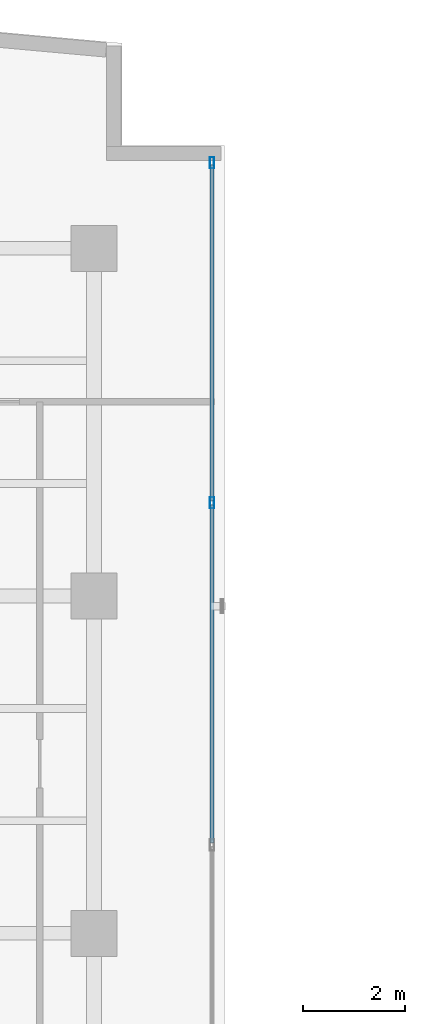
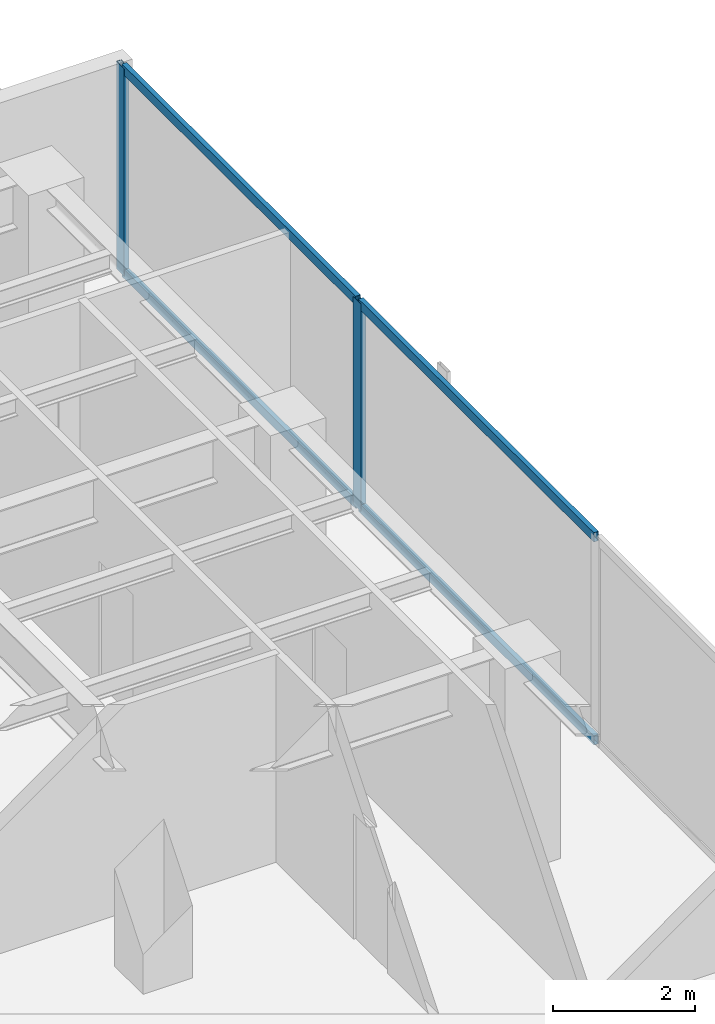
# One storey, part 15 of 22: 6 members, 1 element without a shape of its own.
"""IFC4 building model written with IfcOpenShell, lengths in metres."""

from ifc_helpers import new_model, si_unit, direction, frame, origin, origin_with_axes, origin_2d, place, context, subcontext, project, spatial, hollow_rectangle, extrude, source, transform, mapped, material, layer, layer_set, material_profile, profile_set, type_object, element, aggregate, save


model = new_model("IFC4")

# Units and contexts
model_context = context("Model", 3, precision=1e-05, world=origin(), true_north=direction((0.0, 1.0)))
body_context = subcontext(model_context, "Body", "Model", "MODEL_VIEW")
ifc_project = project(units=[si_unit("LENGTHUNIT", "METRE"), si_unit("AREAUNIT", "SQUARE_METRE"), si_unit("VOLUMEUNIT", "CUBIC_METRE"), si_unit("PLANEANGLEUNIT", "RADIAN"), si_unit("MASSUNIT", "GRAM", prefix="KILO")], contexts=[model_context])

# Site, building, storey
site_placement = place(None, origin())
site = spatial("IfcSite", under=ifc_project, at=site_placement, CompositionType="ELEMENT")
building_placement = place(site_placement, origin())
building = spatial("IfcBuilding", under=site, at=building_placement, Name="Kolvaren Waterfront Exchange", CompositionType="ELEMENT")
storey_placement = place(building_placement, frame((0.0, 0.0, 281.800048828125)))
storey = spatial("IfcBuildingStorey", under=building, at=storey_placement, Name="L72", CompositionType="ELEMENT", Elevation=281.800048828125)

# Curtain wall, members
ifc_material_1 = material(Name="Anodised bronze aluminium 6063-T6", Category="aluminium")
ifc_layer = layer(ifc_material_1, 0.219970703125, Name="Anodised bronze aluminium 6063-T6")
ifc_layer_set = layer_set([ifc_layer], Name="Anodised bronze aluminium 6063-T6")
curtain_wall_type = type_object("IfcCurtainWallType", Name="ARC-CW-SYS1", PredefinedType="USERDEFINED", material=ifc_layer_set)
curtain_wall_placement = place(storey_placement, origin())
curtain_wall = element("IfcCurtainWall", 1, at=curtain_wall_placement, inside=storey, type_object=curtain_wall_type, Name="L72 stick curtain wall CW1 (CW-L72-NE)", ObjectType="STICK CURTAIN WALL", PredefinedType="USERDEFINED")
ifc_material_2 = material(Name="Anodised aluminium 6063-T6", Category="aluminium")
ifc_material_profile_1 = material_profile(ifc_material_2, hollow_rectangle(XDim=0.080078125, YDim=0.219970703125, WallThickness=0.0048828125, at=origin_2d()), Name="ALU-MUL-220x80x5")
ifc_profile_set_1 = profile_set([ifc_material_profile_1], Name="Anodised aluminium 6063-T6")
member_type_1 = type_object("IfcMemberType", Name="ARC-CWM-220", PredefinedType="MULLION", material=ifc_profile_set_1)
shared_shape_1 = source(origin_with_axes(), body_context, "Body", "SweptSolid", [
    extrude(hollow_rectangle(XDim=0.080078125, YDim=0.219970703125, WallThickness=0.0048828125, at=origin_2d()), origin(), (0.0, 0.0, 1.0), 3.56005859375),
])
member_1_placement = place(storey_placement, frame((21.107421875, 39.623046875, 0.0), z_axis=(0.0, 0.0, 1.0), x_axis=(-1.0, 0.0, 0.0)))
member_1 = element("IfcMember", 2, at=member_1_placement, type_object=member_type_1, Name="CW1 mullion 3", PredefinedType="MULLION", context=body_context, shape_type="MappedRepresentation", body=[
    mapped(shared_shape_1, transform((0.0, 0.0, 0.0), x_axis=(1.0, 0.0, 0.0), y_axis=(0.0, 1.0, 0.0), z_axis=(0.0, 0.0, 1.0), scale=1.0)),
])
member_2_placement = place(storey_placement, frame((21.107421875, 46.27587890625, 0.0), z_axis=(0.0, 0.0, 1.0), x_axis=(-1.0, 0.0, 0.0)))
member_2 = element("IfcMember", 3, at=member_2_placement, type_object=member_type_1, Name="CW1 mullion 4", PredefinedType="MULLION", context=body_context, shape_type="MappedRepresentation", body=[
    mapped(shared_shape_1, transform((0.0, 0.0, 0.0), x_axis=(1.0, 0.0, 0.0), y_axis=(0.0, 1.0, 0.0), z_axis=(0.0, 0.0, 1.0), scale=1.0)),
])
ifc_material_profile_2 = material_profile(ifc_material_2, hollow_rectangle(XDim=0.074951171875, YDim=0.159912109375, WallThickness=0.00439453125, at=origin_2d()), Name="ALU-TRN-160x75x4.5")
ifc_profile_set_2 = profile_set([ifc_material_profile_2], Name="Anodised aluminium 6063-T6")
member_type_2 = type_object("IfcMemberType", Name="ARC-CWT-160", PredefinedType="USERDEFINED", material=ifc_profile_set_2)
shared_shape_2 = source(origin_with_axes(), body_context, "Body", "SweptSolid", [
    extrude(hollow_rectangle(XDim=0.074951171875, YDim=0.159912109375, WallThickness=0.00439453125, at=origin_2d()), origin(), (0.0, 0.0, 1.0), 6.57275390625),
])
member_3_placement = place(storey_placement, frame((21.107421875, 39.6630859375, 0.037353515625), z_axis=(0.0, 1.0, 0.0), x_axis=(-1.0, 0.0, 0.0)))
member_3 = element("IfcMember", 4, at=member_3_placement, type_object=member_type_2, Name="CW1 transom 3.1", ObjectType="TRANSOM", PredefinedType="USERDEFINED", context=body_context, shape_type="MappedRepresentation", body=[
    mapped(shared_shape_2, transform((0.0, 0.0, 0.0), x_axis=(1.0, 0.0, 0.0), y_axis=(0.0, 1.0, 0.0), z_axis=(0.0, 0.0, 1.0), scale=1.0)),
])
member_4_placement = place(storey_placement, frame((21.107421875, 39.6630859375, 3.5224609375), z_axis=(0.0, 1.0, 0.0), x_axis=(-1.0, 0.0, 0.0)))
member_4 = element("IfcMember", 5, at=member_4_placement, type_object=member_type_2, Name="CW1 transom 3.2", ObjectType="TRANSOM", PredefinedType="USERDEFINED", context=body_context, shape_type="MappedRepresentation", body=[
    mapped(shared_shape_2, transform((0.0, 0.0, 0.0), x_axis=(1.0, 0.0, 0.0), y_axis=(0.0, 1.0, 0.0), z_axis=(0.0, 0.0, 1.0), scale=1.0)),
])
shared_shape_3 = source(origin_with_axes(), body_context, "Body", "SweptSolid", [
    extrude(hollow_rectangle(XDim=0.074951171875, YDim=0.159912109375, WallThickness=0.00439453125, at=origin_2d()), origin(), (0.0, 0.0, 1.0), 6.61279296875),
])
member_5_placement = place(storey_placement, frame((21.107421875, 32.97021484375, 0.037353515625), z_axis=(0.0, 1.0, 0.0), x_axis=(-1.0, 0.0, 0.0)))
member_5 = element("IfcMember", 6, at=member_5_placement, type_object=member_type_2, Name="CW1 transom 2.1", ObjectType="TRANSOM", PredefinedType="USERDEFINED", context=body_context, shape_type="MappedRepresentation", body=[
    mapped(shared_shape_3, transform((0.0, 0.0, 0.0), x_axis=(1.0, 0.0, 0.0), y_axis=(0.0, 1.0, 0.0), z_axis=(0.0, 0.0, 1.0), scale=1.0)),
])
member_6_placement = place(storey_placement, frame((21.107421875, 32.97021484375, 3.5224609375), z_axis=(0.0, 1.0, 0.0), x_axis=(-1.0, 0.0, 0.0)))
member_6 = element("IfcMember", 7, at=member_6_placement, type_object=member_type_2, Name="CW1 transom 2.2", ObjectType="TRANSOM", PredefinedType="USERDEFINED", context=body_context, shape_type="MappedRepresentation", body=[
    mapped(shared_shape_3, transform((0.0, 0.0, 0.0), x_axis=(1.0, 0.0, 0.0), y_axis=(0.0, 1.0, 0.0), z_axis=(0.0, 0.0, 1.0), scale=1.0)),
])
aggregate(curtain_wall, [member_1, member_2, member_5, member_6, member_3, member_4])

save(model, "model.ifc")
